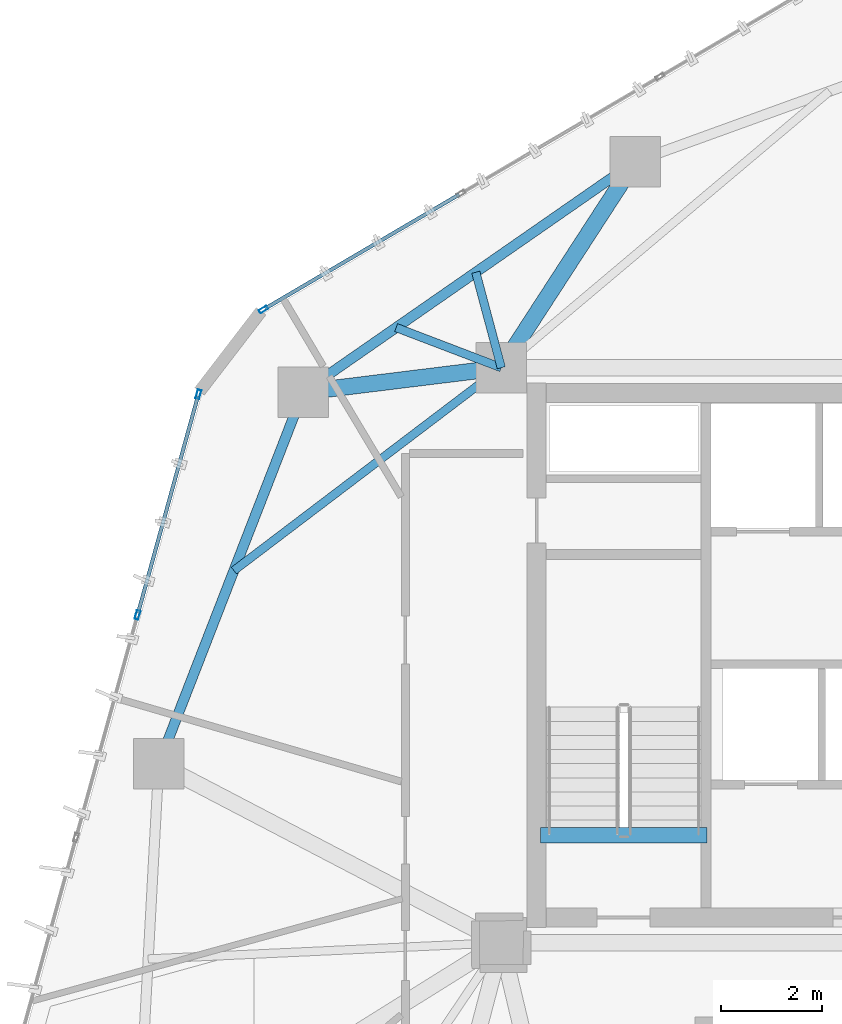
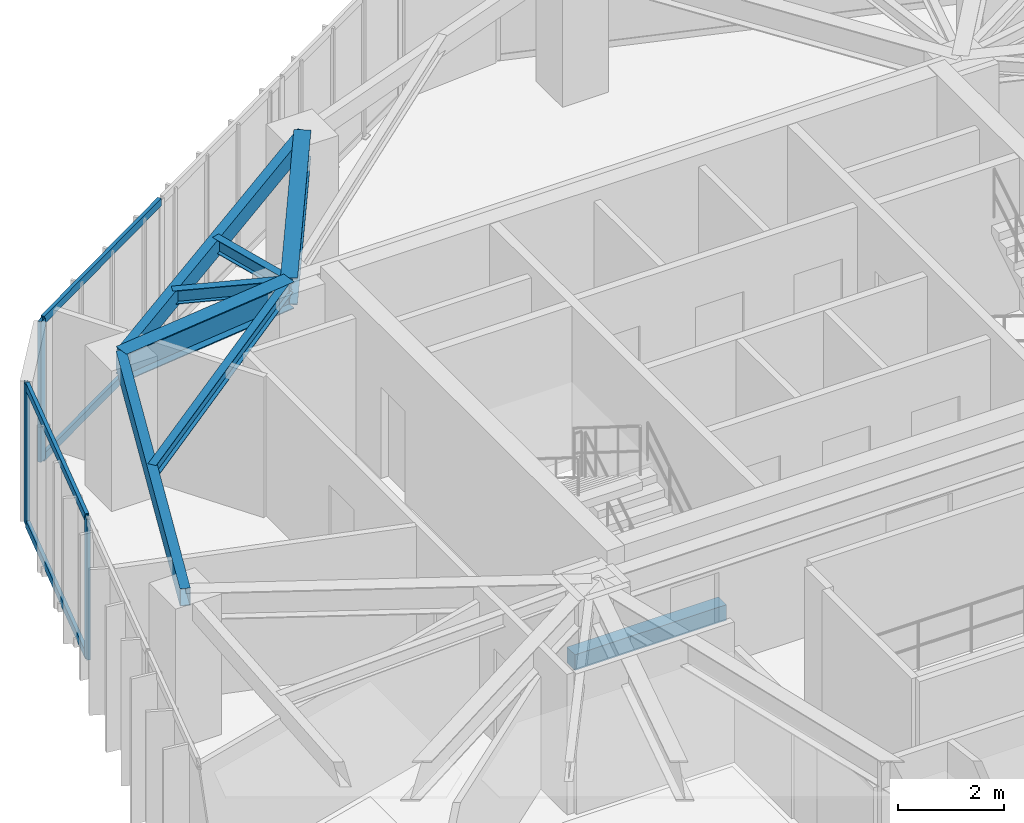
# One storey, part 7 of 19: 8 beams, 7 members, 2 elements without a shape of their own.
"""IFC4 building model written with IfcOpenShell, lengths in metres."""

from ifc_helpers import new_model, si_unit, direction, frame, origin, origin_2d, place, context, subcontext, project, spatial, rectangle, hollow_rectangle, i_section, extrude, source, transform, mapped, material, layer, layer_set, material_profile, profile_set, type_object, type_shapes, element, aggregate, save


model = new_model("IFC4")

# Units and contexts
model_context = context("Model", 3, precision=1e-05, world=origin(), true_north=direction((0.0, 1.0)))
body_context = subcontext(model_context, "Body", "Model", "MODEL_VIEW")
ifc_project = project(units=[si_unit("LENGTHUNIT", "METRE"), si_unit("AREAUNIT", "SQUARE_METRE"), si_unit("VOLUMEUNIT", "CUBIC_METRE"), si_unit("PLANEANGLEUNIT", "RADIAN"), si_unit("MASSUNIT", "GRAM", prefix="KILO")], contexts=[model_context])

# Site, building, storey
site_placement = place(None, origin())
site = spatial("IfcSite", under=ifc_project, at=site_placement, CompositionType="ELEMENT")
building_placement = place(site_placement, origin())
building = spatial("IfcBuilding", under=site, at=building_placement, Name="Talar Marvaseh", CompositionType="ELEMENT")
storey_placement = place(building_placement, frame((0.0, 0.0, 181.0)))
storey = spatial("IfcBuildingStorey", under=building, at=storey_placement, Name="L47", CompositionType="ELEMENT", Elevation=181.0)

# Beams
ifc_material_1 = material(Name="Concrete C40/50", Category="concrete")
ifc_material_profile_1 = material_profile(ifc_material_1, rectangle(XDim=0.300048828125, YDim=0.360107421875, at=origin_2d()), Name="RC300x360")
ifc_profile_set_1 = profile_set([ifc_material_profile_1], Name="Concrete C40/50")
beam_type_1 = type_object("IfcBeamType", Name="Concrete Stair Landing Trimmer Beam RC300x360", PredefinedType="SPANDREL", material=ifc_profile_set_1)
beam_1_placement = place(storey_placement, frame((22.780029296875, 27.6298828125, -0.179931640625), z_axis=(-1.0, 0.0, 0.0), x_axis=(0.0, -1.0, 0.0)))
element("IfcBeam", 1, at=beam_1_placement, inside=storey, type_object=beam_type_1, Name="L47 ST-1 Stair Nosing Trimmer Beam", PredefinedType="SPANDREL", context=body_context, shape_type="SweptSolid", body=[
    extrude(rectangle(XDim=0.300048828125, YDim=0.360107421875, at=origin_2d()), origin(), (0.0, 0.0, 1.0), 3.300048828125),
])
ifc_material_2 = material(Name="Steel S355", Category="steel")
ifc_material_profile_2 = material_profile(ifc_material_2, hollow_rectangle(XDim=0.199951171875, YDim=0.39990234375, WallThickness=0.013916015625, at=origin_2d()), Name="RHS400x200x14")
ifc_profile_set_2 = profile_set([ifc_material_profile_2], Name="Steel S355")
beam_type_2 = type_object("IfcBeamType", Name="Zone 3 Perimeter Spandrel Beam RHS400x200x14", PredefinedType="SPANDREL", material=ifc_profile_set_2)
beam_2_placement = place(storey_placement, frame((11.908935546875, 29.044921875, 3.030029296875), z_axis=(0.362169134611, 0.932112395548, 0.0), x_axis=(-0.932112395548, 0.362169134611, 0.0)))
element("IfcBeam", 2, at=beam_2_placement, inside=storey, type_object=beam_type_2, Name="L47 Zone 3 Perimeter Spandrel Beam RHS400x200x14", PredefinedType="SPANDREL", context=body_context, shape_type="SweptSolid", body=[
    extrude(hollow_rectangle(XDim=0.199951171875, YDim=0.39990234375, WallThickness=0.013916015625, at=origin_2d()), origin(), (0.0, 0.0, 1.0), 7.907958984375),
])
beam_3_placement = place(storey_placement, frame((14.77294921875, 36.416015625, 3.030029296875), z_axis=(0.821296978901, 0.570500896098, 0.0), x_axis=(-0.570500896098, 0.821296978901, 0.0)))
element("IfcBeam", 3, at=beam_3_placement, inside=storey, type_object=beam_type_2, Name="L47 Zone 3 Perimeter Spandrel Beam RHS400x200x14", PredefinedType="SPANDREL", context=body_context, shape_type="SweptSolid", body=[
    extrude(hollow_rectangle(XDim=0.199951171875, YDim=0.39990234375, WallThickness=0.013916015625, at=origin_2d()), origin(), (0.0, 0.0, 1.0), 8.0107421875),
])
ifc_material_profile_3 = material_profile(ifc_material_2, i_section(OverallWidth=0.324951171875, OverallDepth=0.615966796875, WebThickness=0.013916015625, FlangeThickness=0.021484375, at=origin_2d()), Name="W610x174")
ifc_profile_set_3 = profile_set([ifc_material_profile_3], Name="Steel S355")
beam_type_3 = type_object("IfcBeamType", Name="Zone 3 Radial Floor Girder W610x174", PredefinedType="BEAM", material=ifc_profile_set_3)
beam_4_placement = place(storey_placement, frame((14.77294921875, 36.416015625, 2.922119140625), z_axis=(0.99249373738, 0.122295467049, 0.0), x_axis=(-0.122295467049, 0.99249373738, 0.0)))
element("IfcBeam", 4, at=beam_4_placement, inside=storey, type_object=beam_type_3, Name="L47 Zone 3 Radial Floor Girder W610x174", PredefinedType="BEAM", context=body_context, shape_type="SweptSolid", body=[
    extrude(i_section(OverallWidth=0.324951171875, OverallDepth=0.615966796875, WebThickness=0.013916015625, FlangeThickness=0.021484375, at=origin_2d()), origin(), (0.0, 0.0, 1.0), 3.956787109375),
])
beam_5_placement = place(storey_placement, frame((21.35205078125, 40.986083984375, 2.922119140625), z_axis=(-0.544422757063, -0.838810980849, 0.0), x_axis=(0.838810980849, -0.544422757063, 0.0)))
element("IfcBeam", 5, at=beam_5_placement, inside=storey, type_object=beam_type_3, Name="L47 Zone 3 Radial Floor Girder W610x174", PredefinedType="BEAM", context=body_context, shape_type="SweptSolid", body=[
    extrude(i_section(OverallWidth=0.324951171875, OverallDepth=0.615966796875, WebThickness=0.013916015625, FlangeThickness=0.021484375, at=origin_2d()), origin(), (0.0, 0.0, 1.0), 4.871337890625),
])
ifc_material_profile_4 = material_profile(ifc_material_2, i_section(OverallWidth=0.166015625, OverallDepth=0.31298828125, WebThickness=0.006591796875, FlangeThickness=0.01123046875, at=origin_2d()), Name="W310x45")
ifc_profile_set_4 = profile_set([ifc_material_profile_4], Name="Steel S355")
beam_type_4 = type_object("IfcBeamType", Name="Zone 3 Secondary Floor Joist W310x45", PredefinedType="JOIST", material=ifc_profile_set_4)
beam_6_placement = place(storey_placement, frame((13.398193359375, 32.8779296875, 3.073486328125), z_axis=(0.796694925744, 0.604381663598, 0.0), x_axis=(-0.604381663598, 0.796694925744, 0.0)))
element("IfcBeam", 6, at=beam_6_placement, inside=storey, type_object=beam_type_4, Name="L47 Zone 3 Secondary Floor Joist W310x45", PredefinedType="JOIST", context=body_context, shape_type="SweptSolid", body=[
    extrude(i_section(OverallWidth=0.166015625, OverallDepth=0.31298828125, WebThickness=0.006591796875, FlangeThickness=0.01123046875, at=origin_2d()), origin(), (0.0, 0.0, 1.0), 6.65478515625),
])
beam_7_placement = place(storey_placement, frame((16.614990234375, 37.695556640625, 3.073486328125), z_axis=(0.934281341688, -0.356536638473, 0.0), x_axis=(0.356536638473, 0.934281341688, 0.0)))
element("IfcBeam", 7, at=beam_7_placement, inside=storey, type_object=beam_type_4, Name="L47 Zone 3 Secondary Floor Joist W310x45", PredefinedType="JOIST", context=body_context, shape_type="SweptSolid", body=[
    extrude(i_section(OverallWidth=0.166015625, OverallDepth=0.31298828125, WebThickness=0.006591796875, FlangeThickness=0.01123046875, at=origin_2d()), origin(), (0.0, 0.0, 1.0), 2.231689453125),
])
beam_8_placement = place(storey_placement, frame((18.194091796875, 38.79248046875, 3.073486328125), z_axis=(0.258221088864, -0.966085849842, 0.0), x_axis=(0.966085849842, 0.258221088864, 0.0)))
element("IfcBeam", 8, at=beam_8_placement, inside=storey, type_object=beam_type_4, Name="L47 Zone 3 Secondary Floor Joist W310x45", PredefinedType="JOIST", context=body_context, shape_type="SweptSolid", body=[
    extrude(i_section(OverallWidth=0.166015625, OverallDepth=0.31298828125, WebThickness=0.006591796875, FlangeThickness=0.01123046875, at=origin_2d()), origin(), (0.0, 0.0, 1.0), 1.958984375),
])

# Curtain wall, members
ifc_material_3 = material(Name="Architectural Aluminium", Category="aluminium")
ifc_layer = layer(ifc_material_3, 0.18994140625)
ifc_layer_set = layer_set([ifc_layer], Name="Architectural Aluminium")
curtain_wall_type = type_object("IfcCurtainWallType", Name="Unitised Solar Atelier Curtain Wall Z3", PredefinedType="NOTDEFINED", material=ifc_layer_set)
curtain_wall_1_placement = place(storey_placement, origin())
curtain_wall_1 = element("IfcCurtainWall", 9, at=curtain_wall_1_placement, inside=storey, type_object=curtain_wall_type, Name="L47 Unitised Solar Atelier Curtain Wall Z3", PredefinedType="NOTDEFINED")
ifc_material_profile_5 = material_profile(ifc_material_3, hollow_rectangle(XDim=0.074951171875, YDim=0.179931640625, WallThickness=0.0048828125, at=origin_2d()), Name="RHS180x75x5")
ifc_profile_set_5 = profile_set([ifc_material_profile_5], Name="Architectural Aluminium")
member_type_1 = type_object("IfcMemberType", Name="Unitised Curtain Wall Standard Mullion RHS180x75x5", PredefinedType="MULLION", material=ifc_profile_set_5)
shared_shape_1 = source(origin(), body_context, "Body", "SweptSolid", [
    extrude(hollow_rectangle(XDim=0.074951171875, YDim=0.179931640625, WallThickness=0.0048828125, at=origin_2d()), origin(), (0.0, 0.0, 1.0), 3.22998046875),
])
type_shapes(member_type_1, [shared_shape_1])
member_1_placement = place(storey_placement, frame((11.48828125, 31.997802734375, 0.0), z_axis=(0.0, 0.0, 1.0), x_axis=(-0.96394548055, 0.266099813091, 0.0)))
member_1 = element("IfcMember", 10, at=member_1_placement, type_object=member_type_1, Name="CW-Z3 mullion 3", PredefinedType="MULLION", context=body_context, shape_type="MappedRepresentation", body=[
    mapped(shared_shape_1, transform((0.0, 0.0, 0.0), x_axis=(1.0, 0.0, 0.0), y_axis=(0.0, 1.0, 0.0), z_axis=(0.0, 0.0, 1.0), scale=1.0)),
])
member_2_placement = place(storey_placement, frame((12.6962890625, 36.373779296875, 0.0), z_axis=(0.0, 0.0, 1.0), x_axis=(-0.96394548055, 0.266099813091, 0.0)))
member_2 = element("IfcMember", 11, at=member_2_placement, type_object=member_type_1, Name="CW-Z3 mullion 4", PredefinedType="MULLION", context=body_context, shape_type="MappedRepresentation", body=[
    mapped(shared_shape_1, transform((0.0, 0.0, 0.0), x_axis=(1.0, 0.0, 0.0), y_axis=(0.0, 1.0, 0.0), z_axis=(0.0, 0.0, 1.0), scale=1.0)),
])

# Curtain wall, member
curtain_wall_2_placement = place(storey_placement, origin())
curtain_wall_2 = element("IfcCurtainWall", 12, at=curtain_wall_2_placement, inside=storey, type_object=curtain_wall_type, Name="L47 Unitised Solar Atelier Curtain Wall Z3", PredefinedType="NOTDEFINED")
member_3_placement = place(storey_placement, frame((13.9853515625, 38.0537109375, 0.0), z_axis=(0.0, 0.0, 1.0), x_axis=(-0.506514332148, 0.862231541599, 0.0)))
member_3 = element("IfcMember", 13, at=member_3_placement, type_object=member_type_1, Name="CW-Z3 mullion 1", PredefinedType="MULLION", context=body_context, shape_type="MappedRepresentation", body=[
    mapped(shared_shape_1, transform((0.0, 0.0, 0.0), x_axis=(1.0, 0.0, 0.0), y_axis=(0.0, 1.0, 0.0), z_axis=(0.0, 0.0, 1.0), scale=1.0)),
])

# Member
ifc_material_profile_6 = material_profile(ifc_material_3, hollow_rectangle(XDim=0.074951171875, YDim=0.179931640625, WallThickness=0.0048828125, at=origin_2d()), Name="RHS180x75x5")
ifc_profile_set_6 = profile_set([ifc_material_profile_6], Name="Architectural Aluminium")
member_type_2 = type_object("IfcMemberType", Name="Unitised Curtain Wall Transom RHS180x75x5", PredefinedType="USERDEFINED", material=ifc_profile_set_6)
shared_shape_2 = source(origin(), body_context, "Body", "SweptSolid", [
    extrude(hollow_rectangle(XDim=0.074951171875, YDim=0.179931640625, WallThickness=0.0048828125, at=origin_2d()), origin(), (0.0, 0.0, 1.0), 4.464599609375),
])
member_4_placement = place(storey_placement, frame((11.498291015625, 32.033935546875, 0.03759765625), z_axis=(0.266086698669, 0.963949100727, 0.0), x_axis=(-0.963949100727, 0.266086698669, 0.0)))
member_4 = element("IfcMember", 14, at=member_4_placement, type_object=member_type_2, Name="CW-Z3 transom 3.1", ObjectType="TRANSOM", PredefinedType="USERDEFINED", context=body_context, shape_type="MappedRepresentation", body=[
    mapped(shared_shape_2, transform((0.0, 0.0, 0.0), x_axis=(1.0, 0.0, 0.0), y_axis=(0.0, 1.0, 0.0), z_axis=(0.0, 0.0, 1.0), scale=1.0)),
])

member_5_placement = place(storey_placement, frame((11.498291015625, 32.033935546875, 3.1923828125), z_axis=(0.266086698669, 0.963949100727, 0.0), x_axis=(-0.963949100727, 0.266086698669, 0.0)))
member_5 = element("IfcMember", 15, at=member_5_placement, type_object=member_type_2, Name="CW-Z3 transom 3.2", ObjectType="TRANSOM", PredefinedType="USERDEFINED", context=body_context, shape_type="MappedRepresentation", body=[
    mapped(shared_shape_2, transform((0.0, 0.0, 0.0), x_axis=(1.0, 0.0, 0.0), y_axis=(0.0, 1.0, 0.0), z_axis=(0.0, 0.0, 1.0), scale=1.0)),
])

aggregate(curtain_wall_1, [member_1, member_2, member_4, member_5])

shared_shape_3 = source(origin(), body_context, "Body", "SweptSolid", [
    extrude(hollow_rectangle(XDim=0.074951171875, YDim=0.179931640625, WallThickness=0.0048828125, at=origin_2d()), origin(), (0.0, 0.0, 1.0), 4.46484375),
])
type_shapes(member_type_2, [shared_shape_2, shared_shape_3])
member_6_placement = place(storey_placement, frame((14.017578125, 38.07275390625, 0.03759765625), z_axis=(0.862227863917, 0.506520592558, 0.0), x_axis=(-0.506520592558, 0.862227863917, 0.0)))
member_6 = element("IfcMember", 16, at=member_6_placement, type_object=member_type_2, Name="CW-Z3 transom 1.1", ObjectType="TRANSOM", PredefinedType="USERDEFINED", context=body_context, shape_type="MappedRepresentation", body=[
    mapped(shared_shape_3, transform((0.0, 0.0, 0.0), x_axis=(1.0, 0.0, 0.0), y_axis=(0.0, 1.0, 0.0), z_axis=(0.0, 0.0, 1.0), scale=1.0)),
])

member_7_placement = place(storey_placement, frame((14.017578125, 38.07275390625, 3.1923828125), z_axis=(0.862227863917, 0.506520592558, 0.0), x_axis=(-0.506520592558, 0.862227863917, 0.0)))
member_7 = element("IfcMember", 17, at=member_7_placement, type_object=member_type_2, Name="CW-Z3 transom 1.2", ObjectType="TRANSOM", PredefinedType="USERDEFINED", context=body_context, shape_type="MappedRepresentation", body=[
    mapped(shared_shape_3, transform((0.0, 0.0, 0.0), x_axis=(1.0, 0.0, 0.0), y_axis=(0.0, 1.0, 0.0), z_axis=(0.0, 0.0, 1.0), scale=1.0)),
])

aggregate(curtain_wall_2, [member_3, member_6, member_7])

save(model, "model.ifc")
